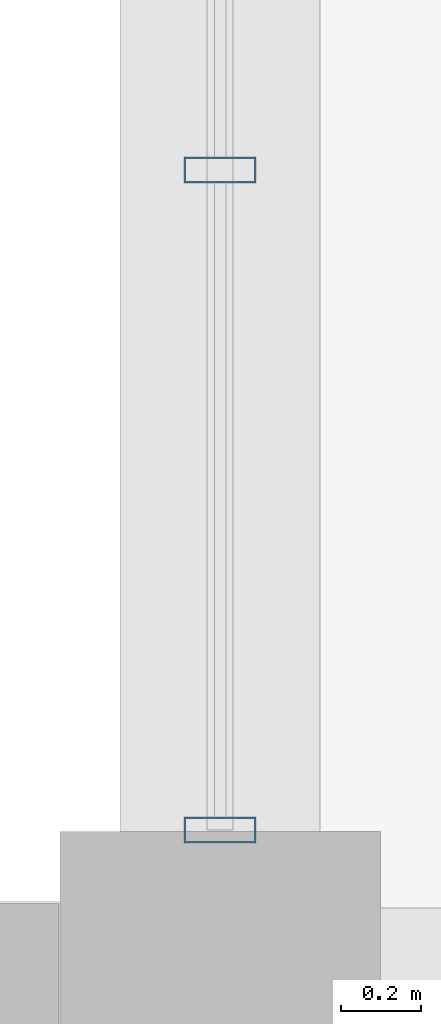
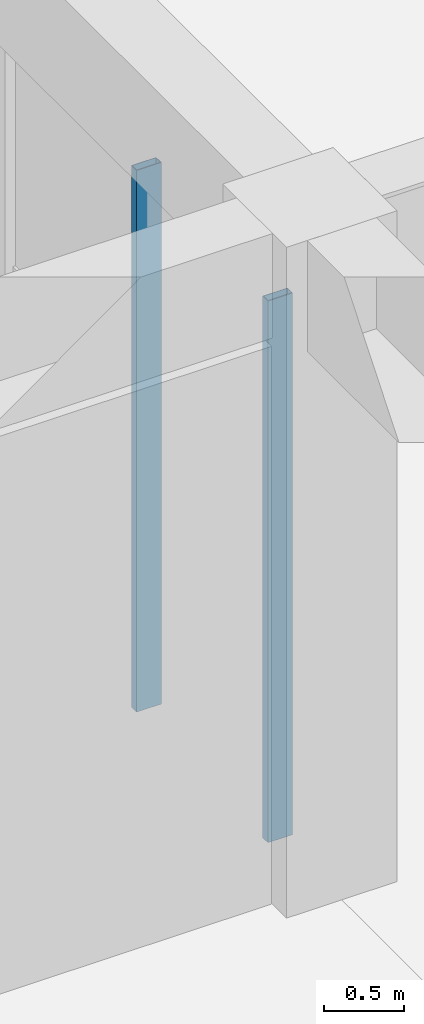
# One storey, part 37 of 140: 2 members, 1 element without a shape of its own.
"""IFC4 building model written with IfcOpenShell, lengths in metres."""

from ifc_helpers import new_model, si_unit, direction, frame, origin, origin_2d, place, context, subcontext, project, spatial, hollow_rectangle, extrude, material, material_profile, profile_set, type_object, element, aggregate, save


model = new_model("IFC4")

# Units and contexts
model_context = context("Model", 3, precision=1e-05, world=origin(), true_north=direction((0.0, 1.0)))
body_context = subcontext(model_context, "Body", "Model", "MODEL_VIEW")
ifc_project = project(units=[si_unit("LENGTHUNIT", "METRE"), si_unit("AREAUNIT", "SQUARE_METRE"), si_unit("VOLUMEUNIT", "CUBIC_METRE"), si_unit("PLANEANGLEUNIT", "RADIAN"), si_unit("MASSUNIT", "GRAM", prefix="KILO")], contexts=[model_context])

# Site, building, storey
site_placement = place(None, origin())
site = spatial("IfcSite", under=ifc_project, at=site_placement, CompositionType="ELEMENT")
building_placement = place(site_placement, origin())
building = spatial("IfcBuilding", under=site, at=building_placement, Name="Cimatlan Art Gallery", CompositionType="ELEMENT")
storey_placement = place(building_placement, origin())
storey = spatial("IfcBuildingStorey", under=building, at=storey_placement, Name="L00", CompositionType="ELEMENT", Elevation=0.0)

# Curtain wall, members
ifc_material_1 = material(Name="Anodised bronze unitised curtain wall")
curtain_wall_type = type_object("IfcCurtainWallType", Name="CW-V-06592X04148-B4", PredefinedType="NOTDEFINED", material=ifc_material_1)
curtain_wall_placement = place(storey_placement, origin())
curtain_wall = element("IfcCurtainWall", 1, at=curtain_wall_placement, inside=storey, type_object=curtain_wall_type, Name="CW-L00-09-06-W", PredefinedType="NOTDEFINED")
ifc_material_2 = material(Name="Anodised bronze aluminium 6063-T6", Category="aluminium")
ifc_material_profile = material_profile(ifc_material_2, hollow_rectangle(XDim=0.06494140625, YDim=0.179931640625, WallThickness=0.00390625, at=origin_2d()), Name="ALU65X180X4")
ifc_profile_set = profile_set([ifc_material_profile], Name="Anodised bronze aluminium 6063-T6")
member_type = type_object("IfcMemberType", Name="CW-MUL-180", PredefinedType="MULLION", material=ifc_profile_set)
member_1_placement = place(storey_placement, frame((74.89990234375, 46.50390625, 0.0), z_axis=(0.0, 0.0, 1.0), x_axis=(0.0, 1.0, 0.0)))
member_1 = element("IfcMember", 2, at=member_1_placement, type_object=member_type, Name="CW-L00-09-06-W-M1", PredefinedType="MULLION", context=body_context, shape_type="SweptSolid", body=[
    extrude(hollow_rectangle(XDim=0.06494140625, YDim=0.179931640625, WallThickness=0.00390625, at=origin_2d()), origin(), (0.0, 0.0, 1.0), 4.14794921875),
])
member_2_placement = place(storey_placement, frame((74.89990234375, 48.152099609375, 0.0), z_axis=(0.0, 0.0, 1.0), x_axis=(0.0, 1.0, 0.0)))
member_2 = element("IfcMember", 3, at=member_2_placement, type_object=member_type, Name="CW-L00-09-06-W-M2", PredefinedType="MULLION", context=body_context, shape_type="SweptSolid", body=[
    extrude(hollow_rectangle(XDim=0.06494140625, YDim=0.179931640625, WallThickness=0.00390625, at=origin_2d()), origin(), (0.0, 0.0, 1.0), 4.14794921875),
])
aggregate(curtain_wall, [member_1, member_2])

save(model, "model.ifc")
